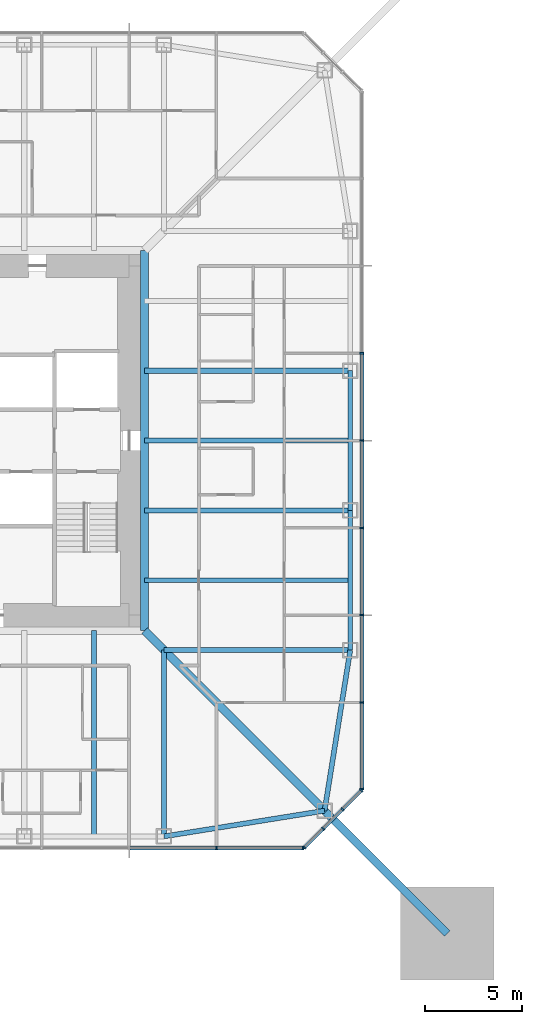
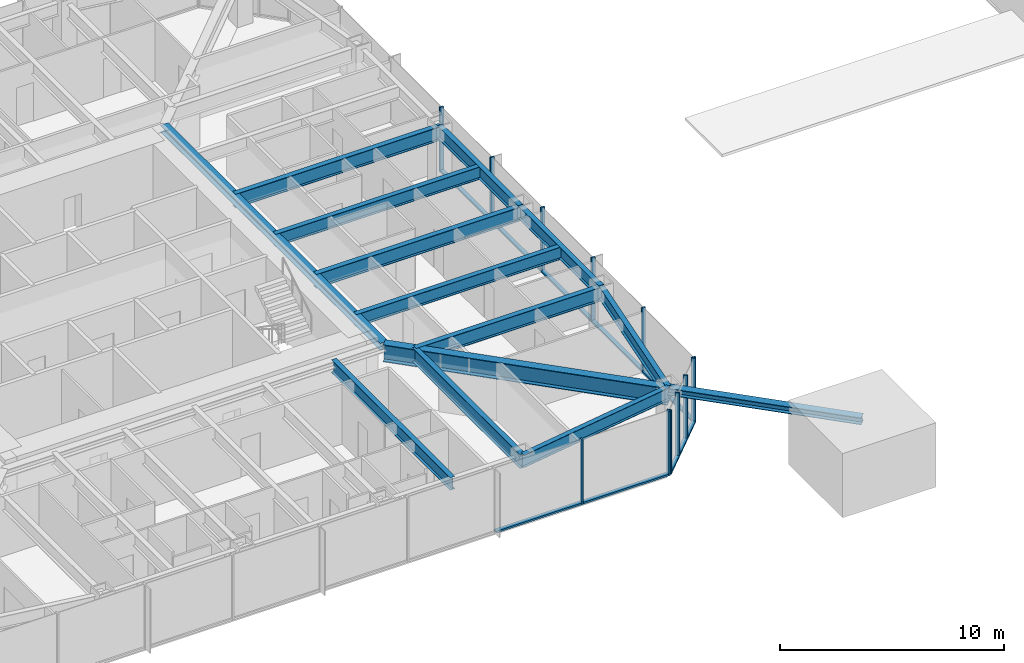
# One storey, part 5 of 25: 23 members, 13 beams, 3 elements without a shape of their own.
"""IFC4 building model written with IfcOpenShell, lengths in metres."""

import ifcopenshell
import ifcopenshell.guid

model = None  # the IFC model being written
_history = None  # IfcOwnerHistory: only IFC2X3 demands one
_inside = {}  # id of a spatial element -> (the spatial element, [elements in it])
_under = {}  # id of a project, library or spatial element -> (it, [spatial elements below it])
_declared = {}  # id of a project -> (the project, [libraries it declares])
_typed = {}  # id of a type object -> (the type object, [elements of that type])
_made_of = {}  # id of a material, layer set ... -> (it, [elements and type objects made of it])


def new_model(schema):
    """Start an empty IFC model of exactly this schema.

    Asked for "IFC4X3", IfcOpenShell would pick the latest addendum, in which some entities
    have other attributes; the version numbers below select the first issue.
    IFC2X3 requires an IfcOwnerHistory on every rooted entity: one is made here for all.
    """
    global model, _history
    if schema == "IFC4X3":
        model = ifcopenshell.file(schema_version=(4, 3, 0, 0))
    else:
        model = ifcopenshell.file(schema=schema)
    _inside.clear()
    _under.clear()
    _declared.clear()
    _typed.clear()
    _made_of.clear()
    _history = None
    if model.schema == "IFC2X3":
        org = make("IfcOrganization", Name="unknown")
        user = make(
            "IfcPersonAndOrganization",
            ThePerson=make("IfcPerson", FamilyName="unknown"),
            TheOrganization=org,
        )
        app = make(
            "IfcApplication",
            ApplicationDeveloper=org,
            Version="unknown",
            ApplicationFullName="unknown",
            ApplicationIdentifier="unknown",
        )
        _history = make(
            "IfcOwnerHistory",
            OwningUser=user,
            OwningApplication=app,
            ChangeAction="ADDED",
            CreationDate=0,
        )
    return model


def make(cls, **values):
    """One entity of the class cls with the attributes given. An attribute that is None is left unset."""
    return model.create_entity(
        cls, **{name: value for name, value in values.items() if value is not None}
    )


def rooted(cls, **values):
    """An entity with a GlobalId (a new one), such as an element, a storey or a relation."""
    return make(cls, GlobalId=ifcopenshell.guid.new(), OwnerHistory=_history, **values)


def si_unit(unit_type, name, prefix=None):
    """IfcSIUnit, for example si_unit("LENGTHUNIT", "METRE", prefix="MILLI")."""
    return make("IfcSIUnit", UnitType=unit_type, Prefix=prefix, Name=name)


def assignment(units):
    """IfcUnitAssignment: the units of a project."""
    return None if units is None else make("IfcUnitAssignment", Units=units)


def point(xyz):
    """IfcCartesianPoint."""
    return None if xyz is None else make("IfcCartesianPoint", Coordinates=xyz)


def direction(xyz):
    """IfcDirection."""
    return None if xyz is None else make("IfcDirection", DirectionRatios=xyz)


def frame(location, z_axis=None, x_axis=None):
    """IfcAxis2Placement3D, a coordinate frame: its origin and axes. An axis left out is left unset."""
    return make(
        "IfcAxis2Placement3D",
        Location=point(location),
        Axis=direction(z_axis),
        RefDirection=direction(x_axis),
    )


def frame_2d(location, x_axis=None):
    """IfcAxis2Placement2D, a coordinate frame in the plane: its origin and x axis."""
    return make(
        "IfcAxis2Placement2D", Location=point(location), RefDirection=direction(x_axis)
    )


def origin():
    """The frame at (0, 0, 0) with its axes left unset."""
    return frame((0.0, 0.0, 0.0))


def origin_2d():
    """The frame at (0, 0) in the plane with its x axis left unset."""
    return frame_2d((0.0, 0.0))


def place(relative_to, where):
    """IfcLocalPlacement: puts the frame where relative to a parent placement (None: the world)."""
    return make(
        "IfcLocalPlacement", PlacementRelTo=relative_to, RelativePlacement=where
    )


def context(
    kind, dimensions, precision=None, world=None, true_north=None, identifier=None
):
    """IfcGeometricRepresentationContext, for example the 3D "Model" context."""
    return make(
        "IfcGeometricRepresentationContext",
        ContextIdentifier=identifier,
        ContextType=kind,
        CoordinateSpaceDimension=dimensions,
        Precision=precision,
        WorldCoordinateSystem=world,
        TrueNorth=true_north,
    )


def subcontext(parent, identifier, kind, view, scale=None):
    """IfcGeometricRepresentationSubContext, for example "Body" below "Model"."""
    return make(
        "IfcGeometricRepresentationSubContext",
        ContextIdentifier=identifier,
        ContextType=kind,
        ParentContext=parent,
        TargetScale=scale,
        TargetView=view,
    )


def project(units=None, contexts=None):
    """IfcProject with its units and contexts."""
    return rooted(
        "IfcProject",
        Name="project",
        RepresentationContexts=contexts,
        UnitsInContext=assignment(units),
    )


def spatial(cls, under=None, at=None, **own):
    """A site, building, storey or space (cls), placed at a placement, below another one or the project."""
    s = rooted(cls, ObjectPlacement=at, **own)
    if under is not None:
        _under.setdefault(under.id(), (under, []))[1].append(s)
    return s


def profile(cls, at=None, kind="AREA", **sizes):
    """A parametric profile (cls). Its sizes go by their IFC names, for example OverallWidth=200.0."""
    return make(cls, ProfileType=kind, Position=at, **sizes)


def rectangle(**sizes):
    """IfcRectangleProfileDef."""
    return profile("IfcRectangleProfileDef", **sizes)


def i_section(**sizes):
    """IfcIShapeProfileDef."""
    return profile("IfcIShapeProfileDef", **sizes)


def extrude(swept, where, along, depth):
    """IfcExtrudedAreaSolid: the profile swept, set in the frame where, extruded along a direction by depth."""
    return make(
        "IfcExtrudedAreaSolid",
        SweptArea=swept,
        Position=where,
        ExtrudedDirection=direction(along),
        Depth=depth,
    )


def shape(context_of_items, identifier, shape_type, items):
    """IfcShapeRepresentation: the items that make up one representation, for example the "Body"."""
    return make(
        "IfcShapeRepresentation",
        ContextOfItems=context_of_items,
        RepresentationIdentifier=identifier,
        RepresentationType=shape_type,
        Items=items,
    )


def material(Name=None, Category=None):
    """IfcMaterial."""
    return make("IfcMaterial", Name=Name, Category=Category)


def material_profile(
    of_material, cross_section, Name=None, Category=None, Priority=None
):
    """IfcMaterialProfile: a cross section and its material."""
    return make(
        "IfcMaterialProfile",
        Name=Name,
        Material=of_material,
        Profile=cross_section,
        Priority=Priority,
        Category=Category,
    )


def profile_set(profiles, Name=None, composite=None):
    """IfcMaterialProfileSet."""
    return make(
        "IfcMaterialProfileSet",
        Name=Name,
        MaterialProfiles=profiles,
        CompositeProfile=composite,
    )


def made_of(thing, what):
    """Note that an element or type object is made of a material, layer set ...; save() writes the relation."""
    if what is not None:
        _made_of.setdefault(what.id(), (what, []))[1].append(thing)
    return thing


def type_object(cls, material=None, **own):
    """A type object (cls), such as IfcWallType, which elements share."""
    return made_of(rooted(cls, **own), material)


def element(
    cls,
    number,
    at=None,
    inside=None,
    cuts=None,
    type_object=None,
    material=None,
    context=None,
    identifier="Body",
    shape_type=None,
    held_by="IfcProductDefinitionShape",
    body=None,
    shapes=None,
    **own,
):
    """One element of the class cls, such as IfcWall. Its Tag is "e" and its number.

    at: its placement. inside: the storey or other place that contains it. cuts: it is an
    opening in that element (IfcRelVoidsElement). A single representation is given by context,
    identifier, shape_type and body (its items); several are given by shapes. held_by: the class
    of the entity that holds the representations. save() writes the other relations.
    """
    e = rooted(cls, Tag="e%d" % number, ObjectPlacement=at, **own)
    if body is not None:
        shapes = [shape(context, identifier, shape_type, body)]
    if shapes is not None:
        e.Representation = make(held_by, Representations=shapes)
    if inside is not None:
        _inside.setdefault(inside.id(), (inside, []))[1].append(e)
    if cuts is not None:
        rooted(
            "IfcRelVoidsElement", RelatingBuildingElement=cuts, RelatedOpeningElement=e
        )
    if type_object is not None:
        _typed.setdefault(type_object.id(), (type_object, []))[1].append(e)
    return made_of(e, material)


def aggregate(whole, parts):
    """IfcRelAggregates: a whole, such as a stair, and the parts it consists of."""
    return rooted("IfcRelAggregates", RelatingObject=whole, RelatedObjects=parts)


def save(model, path):
    """Write the relations noted so far, then the file.

    IfcRelAggregates (storeys below a building ...), IfcRelContainedInSpatialStructure (elements
    in a storey), IfcRelDefinesByType, IfcRelAssociatesMaterial and IfcRelDeclares: one each for
    every whole, place, type object, material and project.
    """
    for whole, parts in _under.values():
        aggregate(whole, parts)
    for where, things in _inside.values():
        rooted(
            "IfcRelContainedInSpatialStructure",
            RelatedElements=things,
            RelatingStructure=where,
        )
    for kind, things in _typed.values():
        rooted("IfcRelDefinesByType", RelatedObjects=things, RelatingType=kind)
    for what, things in _made_of.values():
        rooted("IfcRelAssociatesMaterial", RelatedObjects=things, RelatingMaterial=what)
    for by, libraries in _declared.values():
        rooted("IfcRelDeclares", RelatingContext=by, RelatedDefinitions=libraries)
    model.write(path)


model = new_model("IFC4")

# Units and contexts
model_context = context("Model", 3, precision=1e-05, world=origin(), true_north=direction((0.0, 1.0)))
body_context = subcontext(model_context, "Body", "Model", "MODEL_VIEW")
ifc_project = project(units=[si_unit("LENGTHUNIT", "METRE"), si_unit("AREAUNIT", "SQUARE_METRE"), si_unit("VOLUMEUNIT", "CUBIC_METRE"), si_unit("PLANEANGLEUNIT", "RADIAN"), si_unit("MASSUNIT", "GRAM", prefix="KILO")], contexts=[model_context])

# Site, building, storey
site_placement = place(None, origin())
site = spatial("IfcSite", under=ifc_project, at=site_placement, CompositionType="ELEMENT")
building_placement = place(site_placement, origin())
building = spatial("IfcBuilding", under=site, at=building_placement, Name="Iwan Alto Co-Living Towers", CompositionType="ELEMENT")
storey_placement = place(building_placement, frame((0.0, 0.0, 101.5)))
storey = spatial("IfcBuildingStorey", under=building, at=storey_placement, Name="L27", CompositionType="ELEMENT", Elevation=101.5)

# Curtain wall, members
ifc_material_1 = material(Name="Bronze aluminium unitised frame", Category="aluminium")
curtain_wall_type_1 = type_object("IfcCurtainWallType", Name="CURTAIN WALL CW-A", PredefinedType="NOTDEFINED", material=ifc_material_1)
curtain_wall_1_placement = place(storey_placement, origin())
curtain_wall_1 = element("IfcCurtainWall", 1, at=curtain_wall_1_placement, inside=storey, type_object=curtain_wall_type_1, Name="T1 curtain wall S L27", PredefinedType="NOTDEFINED")
ifc_material_2 = material(Name="Aluminium 6063-T6 bronze anodised", Category="aluminium")
ifc_material_profile_1 = material_profile(ifc_material_2, rectangle(XDim=0.199951171875, YDim=0.080078125, at=origin_2d()), Name="AL 80X200")
ifc_profile_set_1 = profile_set([ifc_material_profile_1], Name="Aluminium 6063-T6 bronze anodised")
member_type_1 = type_object("IfcMemberType", Name="CW-A MULLION 80X200", PredefinedType="MULLION", material=ifc_profile_set_1)
member_1_placement = place(storey_placement, frame((13.5, -21.0, 0.0), z_axis=(0.0, 0.0, 1.0), x_axis=(0.0, 1.0, 0.0)))
member_1 = element("IfcMember", 2, at=member_1_placement, type_object=member_type_1, Name="CW-A mullion 8", PredefinedType="MULLION", context=body_context, shape_type="SweptSolid", body=[
    extrude(rectangle(XDim=0.199951171875, YDim=0.080078125, at=origin_2d()), origin(), (0.0, 0.0, 1.0), 3.5),
])
member_2_placement = place(storey_placement, frame((17.9599609375, -21.0, 0.0), z_axis=(0.0, 0.0, 1.0), x_axis=(0.0, 1.0, 0.0)))
member_2 = element("IfcMember", 3, at=member_2_placement, type_object=member_type_1, Name="CW-A mullion 9", PredefinedType="MULLION", context=body_context, shape_type="SweptSolid", body=[
    extrude(rectangle(XDim=0.199951171875, YDim=0.080078125, at=origin_2d()), origin(), (0.0, 0.0, 1.0), 3.5),
])

curtain_wall_2_placement = place(storey_placement, origin())
curtain_wall_2 = element("IfcCurtainWall", 4, at=curtain_wall_2_placement, inside=storey, type_object=curtain_wall_type_1, Name="T1 curtain wall E L27", PredefinedType="NOTDEFINED")
member_3_placement = place(storey_placement, frame((21.0, -17.9599609375, 0.0), z_axis=(0.0, 0.0, 1.0), x_axis=(-1.0, 0.0, 0.0)))
member_3 = element("IfcMember", 5, at=member_3_placement, type_object=member_type_1, Name="CW-A mullion 1", PredefinedType="MULLION", context=body_context, shape_type="SweptSolid", body=[
    extrude(rectangle(XDim=0.199951171875, YDim=0.080078125, at=origin_2d()), origin(), (0.0, 0.0, 1.0), 3.5),
])
member_4_placement = place(storey_placement, frame((21.0, -13.5, 0.0), z_axis=(0.0, 0.0, 1.0), x_axis=(-1.0, 0.0, 0.0)))
member_4 = element("IfcMember", 6, at=member_4_placement, type_object=member_type_1, Name="CW-A mullion 2", PredefinedType="MULLION", context=body_context, shape_type="SweptSolid", body=[
    extrude(rectangle(XDim=0.199951171875, YDim=0.080078125, at=origin_2d()), origin(), (0.0, 0.0, 1.0), 3.5),
])
member_5_placement = place(storey_placement, frame((21.0, -9.0, 0.0), z_axis=(0.0, 0.0, 1.0), x_axis=(-1.0, 0.0, 0.0)))
member_5 = element("IfcMember", 7, at=member_5_placement, type_object=member_type_1, Name="CW-A mullion 3", PredefinedType="MULLION", context=body_context, shape_type="SweptSolid", body=[
    extrude(rectangle(XDim=0.199951171875, YDim=0.080078125, at=origin_2d()), origin(), (0.0, 0.0, 1.0), 3.5),
])
member_6_placement = place(storey_placement, frame((21.0, -4.5, 0.0), z_axis=(0.0, 0.0, 1.0), x_axis=(-1.0, 0.0, 0.0)))
member_6 = element("IfcMember", 8, at=member_6_placement, type_object=member_type_1, Name="CW-A mullion 4", PredefinedType="MULLION", context=body_context, shape_type="SweptSolid", body=[
    extrude(rectangle(XDim=0.199951171875, YDim=0.080078125, at=origin_2d()), origin(), (0.0, 0.0, 1.0), 3.5),
])
member_7_placement = place(storey_placement, frame((21.0, 0.0, 0.0), z_axis=(0.0, 0.0, 1.0), x_axis=(-1.0, 0.0, 0.0)))
member_7 = element("IfcMember", 9, at=member_7_placement, type_object=member_type_1, Name="CW-A mullion 5", PredefinedType="MULLION", context=body_context, shape_type="SweptSolid", body=[
    extrude(rectangle(XDim=0.199951171875, YDim=0.080078125, at=origin_2d()), origin(), (0.0, 0.0, 1.0), 3.5),
])
member_8_placement = place(storey_placement, frame((21.0, 4.5, 0.0), z_axis=(0.0, 0.0, 1.0), x_axis=(-1.0, 0.0, 0.0)))
member_8 = element("IfcMember", 10, at=member_8_placement, type_object=member_type_1, Name="CW-A mullion 6", PredefinedType="MULLION", context=body_context, shape_type="SweptSolid", body=[
    extrude(rectangle(XDim=0.199951171875, YDim=0.080078125, at=origin_2d()), origin(), (0.0, 0.0, 1.0), 3.5),
])

# Member
ifc_material_3 = material(Name="Aluminium 6063-T6 bronze anodised", Category="aluminium")
ifc_material_profile_2 = material_profile(ifc_material_3, rectangle(XDim=0.199951171875, YDim=0.10009765625, at=origin_2d()), Name="AL 200X100")
ifc_profile_set_2 = profile_set([ifc_material_profile_2], Name="Aluminium 6063-T6 bronze anodised")
member_type_2 = type_object("IfcMemberType", Name="CW-A TRANSOM 200X100", PredefinedType="USERDEFINED", material=ifc_profile_set_2)
member_9_placement = place(storey_placement, frame((9.0400390625, -21.0, 0.050048828125), z_axis=(1.0, 0.0, 0.0), x_axis=(0.0, 1.0, 0.0)))
member_9 = element("IfcMember", 11, at=member_9_placement, type_object=member_type_2, Name="CW-A transom 7.1", ObjectType="TRANSOM", PredefinedType="USERDEFINED", context=body_context, shape_type="SweptSolid", body=[
    extrude(rectangle(XDim=0.199951171875, YDim=0.10009765625, at=origin_2d()), origin(), (0.0, 0.0, 1.0), 4.419921875),
])

member_10_placement = place(storey_placement, frame((13.5400390625, -21.0, 0.050048828125), z_axis=(1.0, 0.0, 0.0), x_axis=(0.0, 1.0, 0.0)))
member_10 = element("IfcMember", 12, at=member_10_placement, type_object=member_type_2, Name="CW-A transom 8.1", ObjectType="TRANSOM", PredefinedType="USERDEFINED", context=body_context, shape_type="SweptSolid", body=[
    extrude(rectangle(XDim=0.199951171875, YDim=0.10009765625, at=origin_2d()), origin(), (0.0, 0.0, 1.0), 4.3798828125),
])

aggregate(curtain_wall_1, [member_1, member_2, member_9, member_10])

member_11_placement = place(storey_placement, frame((21.0, -17.919921875, 0.050048828125), z_axis=(0.0, 1.0, 0.0), x_axis=(-1.0, 0.0, 0.0)))
member_11 = element("IfcMember", 13, at=member_11_placement, type_object=member_type_2, Name="CW-A transom 1.1", ObjectType="TRANSOM", PredefinedType="USERDEFINED", context=body_context, shape_type="SweptSolid", body=[
    extrude(rectangle(XDim=0.199951171875, YDim=0.10009765625, at=origin_2d()), origin(), (0.0, 0.0, 1.0), 4.3798828125),
])

member_12_placement = place(storey_placement, frame((21.0, -13.4599609375, 0.050048828125), z_axis=(0.0, 1.0, 0.0), x_axis=(-1.0, 0.0, 0.0)))
member_12 = element("IfcMember", 14, at=member_12_placement, type_object=member_type_2, Name="CW-A transom 2.1", ObjectType="TRANSOM", PredefinedType="USERDEFINED", context=body_context, shape_type="SweptSolid", body=[
    extrude(rectangle(XDim=0.199951171875, YDim=0.10009765625, at=origin_2d()), origin(), (0.0, 0.0, 1.0), 4.419921875),
])

member_13_placement = place(storey_placement, frame((21.0, -8.9599609375, 0.050048828125), z_axis=(0.0, 1.0, 0.0), x_axis=(-1.0, 0.0, 0.0)))
member_13 = element("IfcMember", 15, at=member_13_placement, type_object=member_type_2, Name="CW-A transom 3.1", ObjectType="TRANSOM", PredefinedType="USERDEFINED", context=body_context, shape_type="SweptSolid", body=[
    extrude(rectangle(XDim=0.199951171875, YDim=0.10009765625, at=origin_2d()), origin(), (0.0, 0.0, 1.0), 4.419921875),
])

member_14_placement = place(storey_placement, frame((21.0, -4.4599609375, 0.050048828125), z_axis=(0.0, 1.0, 0.0), x_axis=(-1.0, 0.0, 0.0)))
member_14 = element("IfcMember", 16, at=member_14_placement, type_object=member_type_2, Name="CW-A transom 4.1", ObjectType="TRANSOM", PredefinedType="USERDEFINED", context=body_context, shape_type="SweptSolid", body=[
    extrude(rectangle(XDim=0.199951171875, YDim=0.10009765625, at=origin_2d()), origin(), (0.0, 0.0, 1.0), 4.419921875),
])

member_15_placement = place(storey_placement, frame((21.0, 0.0400390625, 0.050048828125), z_axis=(0.0, 1.0, 0.0), x_axis=(-1.0, 0.0, 0.0)))
member_15 = element("IfcMember", 17, at=member_15_placement, type_object=member_type_2, Name="CW-A transom 5.1", ObjectType="TRANSOM", PredefinedType="USERDEFINED", context=body_context, shape_type="SweptSolid", body=[
    extrude(rectangle(XDim=0.199951171875, YDim=0.10009765625, at=origin_2d()), origin(), (0.0, 0.0, 1.0), 4.419921875),
])

aggregate(curtain_wall_2, [member_3, member_4, member_5, member_6, member_7, member_8, member_11, member_12, member_13, member_14, member_15])

# Curtain wall, members
ifc_material_4 = material(Name="Bronze aluminium unitised frame", Category="aluminium")
curtain_wall_type_2 = type_object("IfcCurtainWallType", Name="CURTAIN WALL CW-B", PredefinedType="NOTDEFINED", material=ifc_material_4)
curtain_wall_3_placement = place(storey_placement, origin())
curtain_wall_3 = element("IfcCurtainWall", 18, at=curtain_wall_3_placement, inside=storey, type_object=curtain_wall_type_2, Name="T1 chamfer curtain wall SE L27", PredefinedType="NOTDEFINED")
ifc_material_5 = material(Name="Aluminium 6063-T6 bronze anodised", Category="aluminium")
ifc_material_profile_3 = material_profile(ifc_material_5, rectangle(XDim=0.199951171875, YDim=0.080078125, at=origin_2d()), Name="AL 80X200")
ifc_profile_set_3 = profile_set([ifc_material_profile_3], Name="Aluminium 6063-T6 bronze anodised")
member_type_3 = type_object("IfcMemberType", Name="CW-B MULLION 80X200", PredefinedType="MULLION", material=ifc_profile_set_3)
member_16_placement = place(storey_placement, frame((18.0283203125, -20.9716796875, 0.0), z_axis=(0.0, 0.0, 1.0), x_axis=(-0.707106781187, 0.707106781187, 0.0)))
member_16 = element("IfcMember", 19, at=member_16_placement, type_object=member_type_3, Name="CW-B mullion 1", PredefinedType="MULLION", context=body_context, shape_type="SweptSolid", body=[
    extrude(rectangle(XDim=0.199951171875, YDim=0.080078125, at=origin_2d()), origin(), (0.0, 0.0, 1.0), 3.5),
])
member_17_placement = place(storey_placement, frame((19.0, -20.0, 0.0), z_axis=(0.0, 0.0, 1.0), x_axis=(-0.707106781187, 0.707106781187, 0.0)))
member_17 = element("IfcMember", 20, at=member_17_placement, type_object=member_type_3, Name="CW-B mullion 2", PredefinedType="MULLION", context=body_context, shape_type="SweptSolid", body=[
    extrude(rectangle(XDim=0.199951171875, YDim=0.080078125, at=origin_2d()), origin(), (0.0, 0.0, 1.0), 3.5),
])
member_18_placement = place(storey_placement, frame((20.0, -19.0, 0.0), z_axis=(0.0, 0.0, 1.0), x_axis=(-0.707106781187, 0.707106781187, 0.0)))
member_18 = element("IfcMember", 21, at=member_18_placement, type_object=member_type_3, Name="CW-B mullion 3", PredefinedType="MULLION", context=body_context, shape_type="SweptSolid", body=[
    extrude(rectangle(XDim=0.199951171875, YDim=0.080078125, at=origin_2d()), origin(), (0.0, 0.0, 1.0), 3.5),
])
member_19_placement = place(storey_placement, frame((20.9716796875, -18.0283203125, 0.0), z_axis=(0.0, 0.0, 1.0), x_axis=(-0.707106781187, 0.707106781187, 0.0)))
member_19 = element("IfcMember", 22, at=member_19_placement, type_object=member_type_3, Name="CW-B mullion 4", PredefinedType="MULLION", context=body_context, shape_type="SweptSolid", body=[
    extrude(rectangle(XDim=0.199951171875, YDim=0.080078125, at=origin_2d()), origin(), (0.0, 0.0, 1.0), 3.5),
])
ifc_material_6 = material(Name="Aluminium 6063-T6 bronze anodised", Category="aluminium")
ifc_material_profile_4 = material_profile(ifc_material_6, rectangle(XDim=0.199951171875, YDim=0.10009765625, at=origin_2d()), Name="AL 200X100")
ifc_profile_set_4 = profile_set([ifc_material_profile_4], Name="Aluminium 6063-T6 bronze anodised")
member_type_4 = type_object("IfcMemberType", Name="CW-B TRANSOM 200X100", PredefinedType="USERDEFINED", material=ifc_profile_set_4)
member_20_placement = place(storey_placement, frame((18.056640625, -20.943359375, 0.050048828125), z_axis=(0.707106781187, 0.707106781187, 0.0), x_axis=(-0.707106781187, 0.707106781187, 0.0)))
member_20 = element("IfcMember", 23, at=member_20_placement, type_object=member_type_4, Name="CW-B transom 1.1", ObjectType="TRANSOM", PredefinedType="USERDEFINED", context=body_context, shape_type="SweptSolid", body=[
    extrude(rectangle(XDim=0.199951171875, YDim=0.10009765625, at=origin_2d()), origin(), (0.0, 0.0, 1.0), 1.2939453125),
])
member_21_placement = place(storey_placement, frame((19.0283203125, -19.9716796875, 0.050048828125), z_axis=(0.707106781187, 0.707106781187, 0.0), x_axis=(-0.707106781187, 0.707106781187, 0.0)))
member_21 = element("IfcMember", 24, at=member_21_placement, type_object=member_type_4, Name="CW-B transom 2.1", ObjectType="TRANSOM", PredefinedType="USERDEFINED", context=body_context, shape_type="SweptSolid", body=[
    extrude(rectangle(XDim=0.199951171875, YDim=0.10009765625, at=origin_2d()), origin(), (0.0, 0.0, 1.0), 1.334228515625),
])
member_22_placement = place(storey_placement, frame((20.0283203125, -18.9716796875, 0.050048828125), z_axis=(0.707106781187, 0.707106781187, 0.0), x_axis=(-0.707106781187, 0.707106781187, 0.0)))
member_22 = element("IfcMember", 25, at=member_22_placement, type_object=member_type_4, Name="CW-B transom 3.1", ObjectType="TRANSOM", PredefinedType="USERDEFINED", context=body_context, shape_type="SweptSolid", body=[
    extrude(rectangle(XDim=0.199951171875, YDim=0.10009765625, at=origin_2d()), origin(), (0.0, 0.0, 1.0), 1.2939453125),
])
aggregate(curtain_wall_3, [member_16, member_17, member_18, member_19, member_20, member_21, member_22])

# Beams
ifc_material_7 = material(Name="Steel ASTM A992 Gr 50", Category="steel")
ifc_material_profile_5 = material_profile(ifc_material_7, i_section(OverallWidth=0.398681640625, OverallDepth=0.385986328125, WebThickness=0.02099609375, FlangeThickness=0.033203125, at=origin_2d()), Name="W14X176")
ifc_profile_set_5 = profile_set([ifc_material_profile_5], Name="Steel ASTM A992 Gr 50")
beam_type_1 = type_object("IfcBeamType", Name="T1 CORE LEDGER BEAM W14X176", PredefinedType="BEAM", material=ifc_profile_set_5)
beam_1_placement = place(storey_placement, frame((9.79931640625, -9.79931640625, 3.076904296875), z_axis=(0.0, 1.0, 0.0), x_axis=(-1.0, 0.0, 0.0)))
element("IfcBeam", 26, at=beam_1_placement, inside=storey, type_object=beam_type_1, Name="T1 core ledger beam E L28", PredefinedType="BEAM", context=body_context, shape_type="SweptSolid", body=[
    extrude(i_section(OverallWidth=0.398681640625, OverallDepth=0.385986328125, WebThickness=0.02099609375, FlangeThickness=0.033203125, at=origin_2d()), origin(), (0.0, 0.0, 1.0), 19.5986328125),
])
ifc_material_8 = material(Name="Steel ASTM A992 Gr 50", Category="steel")
ifc_material_profile_6 = material_profile(ifc_material_8, i_section(OverallWidth=0.419189453125, OverallDepth=0.927001953125, WebThickness=0.019287109375, FlangeThickness=0.031982421875, at=origin_2d()), Name="W36X231")
ifc_profile_set_6 = profile_set([ifc_material_profile_6], Name="Steel ASTM A992 Gr 50")
beam_type_2 = type_object("IfcBeamType", Name="T1 CORNER GIRDER W36X231", PredefinedType="BEAM", material=ifc_profile_set_6)
beam_2_placement = place(storey_placement, frame((19.07568359375, -19.07568359375, 2.806396484375), z_axis=(-0.707106781187, 0.707106781187, 0.0), x_axis=(-0.707106781187, -0.707106781187, 0.0)))
element("IfcBeam", 27, at=beam_2_placement, inside=storey, type_object=beam_type_2, Name="T1 corner girder CSE L28", PredefinedType="BEAM", context=body_context, shape_type="SweptSolid", body=[
    extrude(i_section(OverallWidth=0.419189453125, OverallDepth=0.927001953125, WebThickness=0.019287109375, FlangeThickness=0.031982421875, at=origin_2d()), origin(), (0.0, 0.0, 1.0), 13.11865234375),
])
ifc_material_9 = material(Name="Steel ASTM A992 Gr 50", Category="steel")
ifc_material_profile_7 = material_profile(ifc_material_9, i_section(OverallWidth=0.25390625, OverallDepth=0.683349609375, WebThickness=0.012451171875, FlangeThickness=0.018798828125, at=origin_2d()), Name="W27X94")
ifc_profile_set_7 = profile_set([ifc_material_profile_7], Name="Steel ASTM A992 Gr 50")
beam_type_3 = type_object("IfcBeamType", Name="T1 EDGE BEAM W27X94", PredefinedType="BEAM", material=ifc_profile_set_7)
for number, where, z_axis, x_axis, name in (
    (28, (10.800048828125, -20.39990234375, 2.928466796875), (0.987438450439, 0.158004134737, 0.0), (-0.158004134737, 0.987438450439, 0.0), "T1 edge beam S4 L28"),
    (29, (19.07568359375, -19.07568359375, 2.928466796875), (0.158004134737, 0.987438450439, 0.0), (-0.987438450439, 0.158004134737, 0.0), "T1 edge beam CSE L28"),
):
    element("IfcBeam", number, at=place(storey_placement, frame(where, z_axis=z_axis, x_axis=x_axis)), inside=storey, type_object=beam_type_3, Name=name, PredefinedType="BEAM", context=body_context, shape_type="SweptSolid", body=[
        extrude(i_section(OverallWidth=0.25390625, OverallDepth=0.683349609375, WebThickness=0.012451171875, FlangeThickness=0.018798828125, at=origin_2d()), origin(), (0.0, 0.0, 1.0), 8.380859375),
    ])
beam_3_placement = place(storey_placement, frame((20.39990234375, -10.800048828125, 2.928466796875), z_axis=(0.0, 1.0, 0.0), x_axis=(-1.0, 0.0, 0.0)))
element("IfcBeam", 30, at=beam_3_placement, inside=storey, type_object=beam_type_3, Name="T1 edge beam E1 L28", PredefinedType="BEAM", context=body_context, shape_type="SweptSolid", body=[
    extrude(i_section(OverallWidth=0.25390625, OverallDepth=0.683349609375, WebThickness=0.012451171875, FlangeThickness=0.018798828125, at=origin_2d()), origin(), (0.0, 0.0, 1.0), 7.199951171875),
])
beam_4_placement = place(storey_placement, frame((20.39990234375, -3.60009765625, 2.928466796875), z_axis=(0.0, 1.0, 0.0), x_axis=(-1.0, 0.0, 0.0)))
element("IfcBeam", 31, at=beam_4_placement, inside=storey, type_object=beam_type_3, Name="T1 edge beam E2 L28", PredefinedType="BEAM", context=body_context, shape_type="SweptSolid", body=[
    extrude(i_section(OverallWidth=0.25390625, OverallDepth=0.683349609375, WebThickness=0.012451171875, FlangeThickness=0.018798828125, at=origin_2d()), origin(), (0.0, 0.0, 1.0), 7.2001953125),
])

# Member
ifc_material_10 = material(Name="Steel ASTM A992 Gr 50", Category="steel")
ifc_material_profile_8 = material_profile(ifc_material_10, i_section(OverallWidth=0.393798828125, OverallDepth=0.3759765625, WebThickness=0.017333984375, FlangeThickness=0.027587890625, at=origin_2d()), Name="W14X145")
ifc_profile_set_8 = profile_set([ifc_material_profile_8], Name="Steel ASTM A992 Gr 50")
member_type_5 = type_object("IfcMemberType", Name="T1 MEGA COLUMN FLOOR TIE W14X145", PredefinedType="STRUT", material=ifc_profile_set_8)
member_23_placement = place(storey_placement, frame((25.39990234375, -25.39990234375, 3.08203125), z_axis=(-0.707106781187, 0.707106781187, 0.0), x_axis=(-0.707106781187, -0.707106781187, 0.0)))
element("IfcMember", 32, at=member_23_placement, inside=storey, type_object=member_type_5, Name="T1 mega column floor tie SE L28", PredefinedType="STRUT", context=body_context, shape_type="SweptSolid", body=[
    extrude(i_section(OverallWidth=0.393798828125, OverallDepth=0.3759765625, WebThickness=0.017333984375, FlangeThickness=0.027587890625, at=origin_2d()), origin(), (0.0, 0.0, 1.0), 8.94384765625),
])

# Beams
ifc_material_11 = material(Name="Steel ASTM A992 Gr 50", Category="steel")
ifc_material_profile_9 = material_profile(ifc_material_11, i_section(OverallWidth=0.2666015625, OverallDepth=0.761962890625, WebThickness=0.014404296875, FlangeThickness=0.021484375, at=origin_2d()), Name="W30X116")
ifc_profile_set_9 = profile_set([ifc_material_profile_9], Name="Steel ASTM A992 Gr 50")
beam_type_4 = type_object("IfcBeamType", Name="T1 RADIAL BEAM W30X116", PredefinedType="BEAM", material=ifc_profile_set_9)
for number, where, z_axis, x_axis, name in (
    (33, (10.800048828125, -20.39990234375, 2.888916015625), (0.0, 1.0, 0.0), (-1.0, 0.0, 0.0), "T1 radial beam S4 L28"),
    (34, (20.39990234375, -10.800048828125, 2.888916015625), (-1.0, 0.0, 0.0), (0.0, -1.0, 0.0), "T1 radial beam E1 L28"),
):
    element("IfcBeam", number, at=place(storey_placement, frame(where, z_axis=z_axis, x_axis=x_axis)), inside=storey, type_object=beam_type_4, Name=name, PredefinedType="BEAM", context=body_context, shape_type="SweptSolid", body=[
        extrude(i_section(OverallWidth=0.2666015625, OverallDepth=0.761962890625, WebThickness=0.014404296875, FlangeThickness=0.021484375, at=origin_2d()), origin(), (0.0, 0.0, 1.0), 9.599853515625),
    ])
for number, where, z_axis, x_axis, name in (
    (35, (20.39990234375, -3.60009765625, 2.888916015625), (-1.0, 0.0, 0.0), (0.0, -1.0, 0.0), "T1 radial beam E2 L28"),
    (36, (20.39990234375, 3.60009765625, 2.888916015625), (-1.0, 0.0, 0.0), (0.0, -1.0, 0.0), "T1 radial beam E3 L28"),
):
    element("IfcBeam", number, at=place(storey_placement, frame(where, z_axis=z_axis, x_axis=x_axis)), inside=storey, type_object=beam_type_4, Name=name, PredefinedType="BEAM", context=body_context, shape_type="SweptSolid", body=[
        extrude(i_section(OverallWidth=0.2666015625, OverallDepth=0.761962890625, WebThickness=0.014404296875, FlangeThickness=0.021484375, at=origin_2d()), origin(), (0.0, 0.0, 1.0), 10.6005859375),
    ])
ifc_material_12 = material(Name="Steel ASTM A992 Gr 50", Category="steel")
ifc_material_profile_10 = material_profile(ifc_material_12, i_section(OverallWidth=0.25390625, OverallDepth=0.683349609375, WebThickness=0.012451171875, FlangeThickness=0.018798828125, at=origin_2d()), Name="W27X94")
ifc_profile_set_10 = profile_set([ifc_material_profile_10], Name="Steel ASTM A992 Gr 50")
beam_type_5 = type_object("IfcBeamType", Name="T1 SECONDARY BEAM W27X94", PredefinedType="JOIST", material=ifc_profile_set_10)
for number, where, z_axis, x_axis, name in (
    (37, (7.199951171875, -20.39990234375, 2.928466796875), (0.0, 1.0, 0.0), (-1.0, 0.0, 0.0), "T1 secondary beam S3 L28"),
    (38, (20.39990234375, -7.199951171875, 2.928466796875), (-1.0, 0.0, 0.0), (0.0, -1.0, 0.0), "T1 secondary beam E1 L28"),
    (39, (20.39990234375, 0.0, 2.928466796875), (-1.0, 0.0, 0.0), (0.0, -1.0, 0.0), "T1 secondary beam E2 L28"),
):
    element("IfcBeam", number, at=place(storey_placement, frame(where, z_axis=z_axis, x_axis=x_axis)), inside=storey, type_object=beam_type_5, Name=name, PredefinedType="JOIST", context=body_context, shape_type="SweptSolid", body=[
        extrude(i_section(OverallWidth=0.25390625, OverallDepth=0.683349609375, WebThickness=0.012451171875, FlangeThickness=0.018798828125, at=origin_2d()), origin(), (0.0, 0.0, 1.0), 10.6005859375),
    ])

save(model, "model.ifc")
